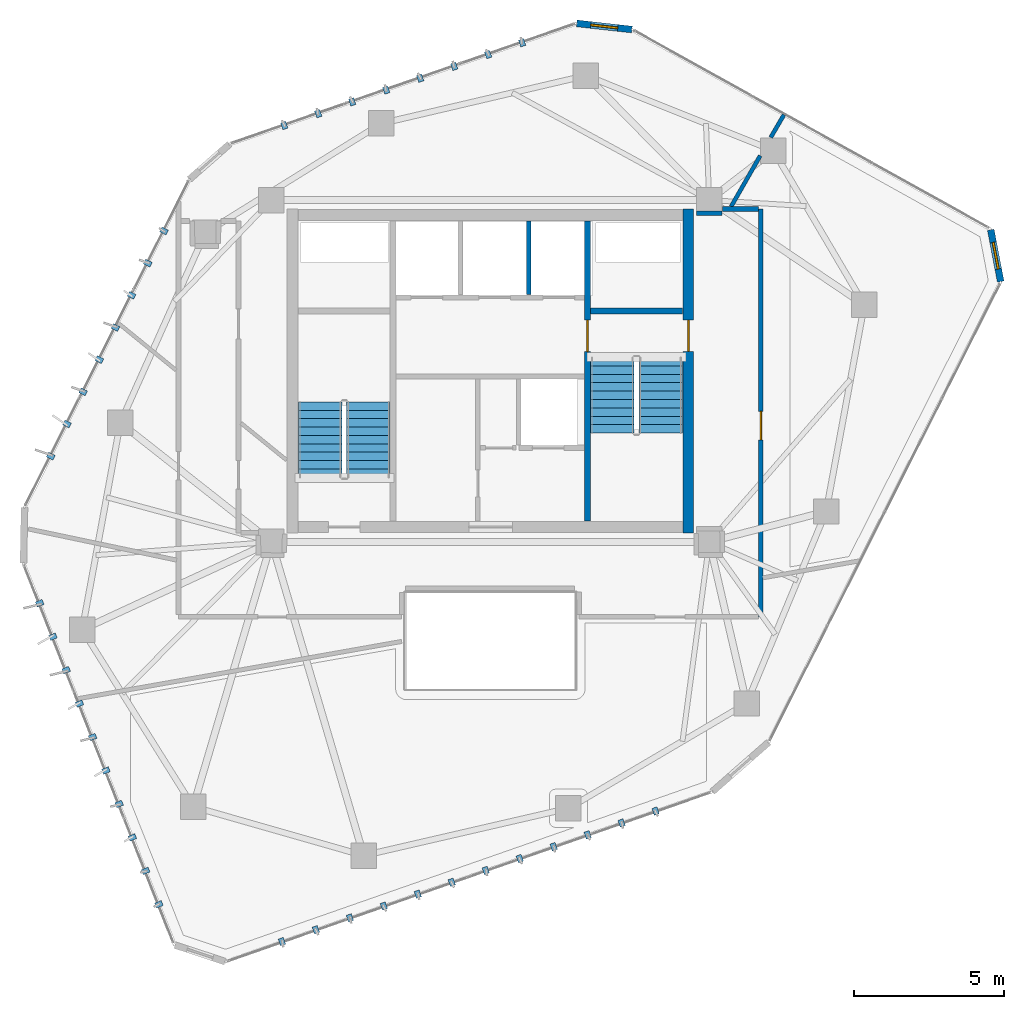
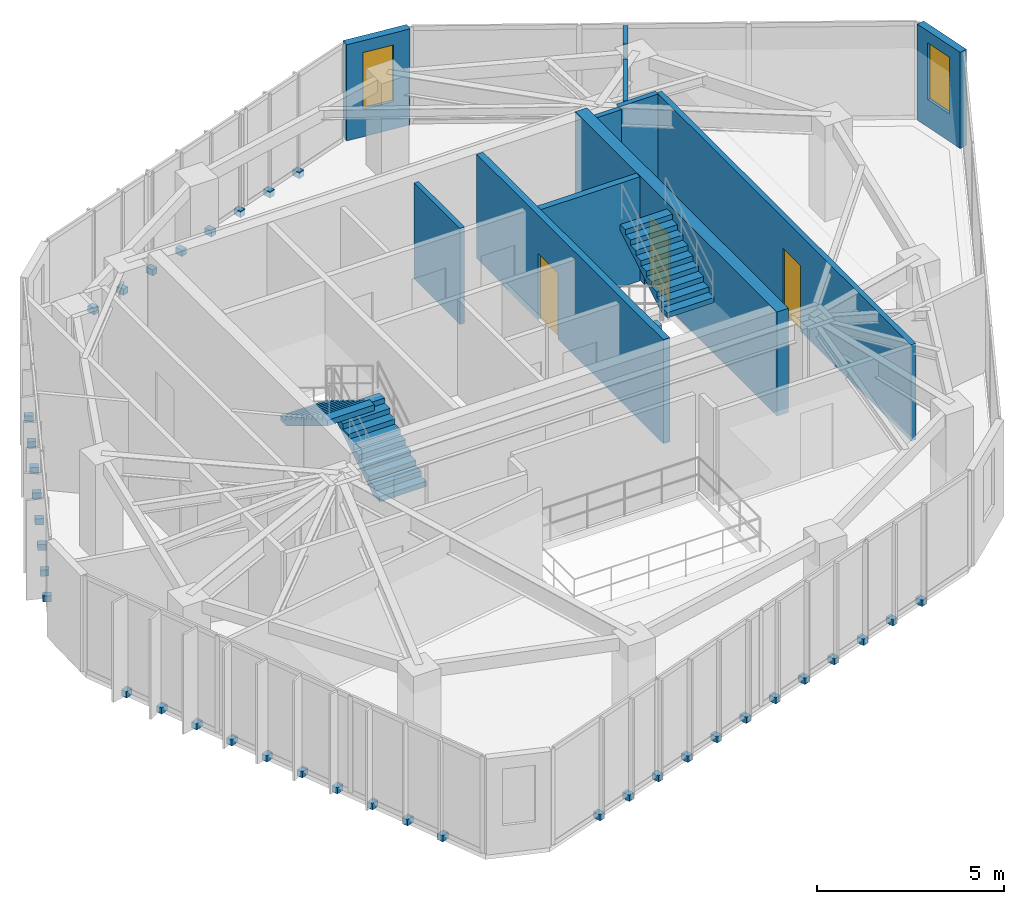
# One storey, part 18 of 20: 38 discrete accessories, 11 walls, 4 stair flights, 3 doors, 2 windows, 5 openings, 2 elements without a shape of their own.
"""IFC4 building model written with IfcOpenShell, lengths in metres."""

from ifc_helpers import new_model, si_unit, direction, frame, frame_2d, origin, origin_2d, place, context, subcontext, project, spatial, polyline, rectangle, outline, extrude, source, transform, mapped, material, layer, layer_set, type_object, type_shapes, element, fill, aggregate, save


model = new_model("IFC4")

# Units and contexts
model_context = context("Model", 3, precision=1e-05, world=origin(), true_north=direction((0.0, 1.0)))
body_context = subcontext(model_context, "Body", "Model", "MODEL_VIEW")
ifc_project = project(units=[si_unit("LENGTHUNIT", "METRE"), si_unit("AREAUNIT", "SQUARE_METRE"), si_unit("VOLUMEUNIT", "CUBIC_METRE"), si_unit("PLANEANGLEUNIT", "RADIAN"), si_unit("MASSUNIT", "GRAM", prefix="KILO")], contexts=[model_context])

# Site, building, storey
site_placement = place(None, origin())
site = spatial("IfcSite", under=ifc_project, at=site_placement, CompositionType="ELEMENT")
building_placement = place(site_placement, origin())
building = spatial("IfcBuilding", under=site, at=building_placement, Name="Talar Marvaseh", CompositionType="ELEMENT")
storey_placement = place(building_placement, frame((0.0, 0.0, 285.0)))
storey = spatial("IfcBuildingStorey", under=building, at=storey_placement, Name="L76", CompositionType="ELEMENT", Elevation=285.0)

# Wall, opening, window
ifc_material_1 = material(Name="Precast concrete C45/55", Category="concrete")
ifc_layer_1 = layer(ifc_material_1, 0.22509765625)
ifc_layer_set_1 = layer_set([ifc_layer_1], Name="Precast concrete C45/55")
wall_type_1 = type_object("IfcWallType", Name="Chamfered Hexagonal Corner Pier Wall Z4 225", PredefinedType="SOLIDWALL", material=ifc_layer_set_1)
wall_1_placement = place(storey_placement, frame((28.876708984375, 42.793212890625, 0.0), z_axis=(0.0, 0.0, 1.0), x_axis=(0.993821027819, -0.110994435289, 0.0)))
wall_1 = element("IfcWall", 1, at=wall_1_placement, inside=storey, type_object=wall_type_1, Name="L76 Chamfered Corner Limestone Pier 4", PredefinedType="SOLIDWALL", context=body_context, shape_type="SweptSolid", body=[
    extrude(rectangle(XDim=1.8564453125, YDim=0.22509765625, at=frame_2d((0.92822265625, 0.0))), origin(), (0.0, 0.0, 1.0), 3.139892578125),
])
opening_1_placement = place(wall_1_placement, frame((0.47802734375, 0.0, 0.89990234375)))
opening_1 = element("IfcOpeningElement", 2, at=opening_1_placement, cuts=wall_1, Name="Opening WN-CHM09", PredefinedType="OPENING", context=body_context, shape_type="SweptSolid", body=[
    extrude(rectangle(XDim=0.89990234375, YDim=1.85009765625, at=frame_2d((0.449951171875, 0.925048828125))), frame((0.0, 0.12255859375, 0.0), z_axis=(0.0, -1.0, 0.0), x_axis=(1.0, 0.0, 0.0)), (0.0, 0.0, 1.0), 0.2451171875),
])
ifc_material_2 = material(Name="Laminated Low-E Solar Glass", Category="glass")
window_type = type_object("IfcWindowType", Name="Zone 4 Chamfered Corner Slot Window 900x1850", PartitioningType="SINGLE_PANEL", PredefinedType="WINDOW", material=ifc_material_2)
shared_shape_1 = source(origin(), body_context, "Body", "SweptSolid", [
    extrude(rectangle(XDim=0.89990234375, YDim=1.85009765625, at=frame_2d((0.449951171875, 0.925048828125))), frame((0.0, 0.030029296875, 0.0), z_axis=(0.0, -1.0, 0.0), x_axis=(1.0, 0.0, 0.0)), (0.0, 0.0, 1.0), 0.06005859375),
])
type_shapes(window_type, [shared_shape_1])
window_1_placement = place(opening_1_placement, origin())
window_1 = element("IfcWindow", 3, at=window_1_placement, inside=storey, type_object=window_type, Name="L76 Chamfered Corner Slot Window", OverallHeight=1.85009765625, OverallWidth=0.89990234375, PartitioningType="SINGLE_PANEL", PredefinedType="WINDOW", context=body_context, shape_type="MappedRepresentation", body=[
    mapped(shared_shape_1, transform((0.0, 0.0, 0.0), x_axis=(1.0, 0.0, 0.0), y_axis=(0.0, 1.0, 0.0), z_axis=(0.0, 0.0, 1.0), scale=1.0)),
])
fill(opening_1, window_1)

wall_2_placement = place(storey_placement, frame((42.68798828125, 35.908447265625, 0.0), z_axis=(0.0, 0.0, 1.0), x_axis=(0.187775807301, -0.982211915114, 0.0)))
wall_2 = element("IfcWall", 4, at=wall_2_placement, inside=storey, type_object=wall_type_1, Name="L76 Chamfered Corner Limestone Pier 5", PredefinedType="SOLIDWALL", context=body_context, shape_type="SweptSolid", body=[
    extrude(rectangle(XDim=1.7578125, YDim=0.22509765625, at=frame_2d((0.87890625, 0.0))), origin(), (0.0, 0.0, 1.0), 3.139892578125),
])
opening_2_placement = place(wall_2_placement, frame((0.428955078125, 0.0, 0.89990234375)))
opening_2 = element("IfcOpeningElement", 5, at=opening_2_placement, cuts=wall_2, Name="Opening WN-CHM09", PredefinedType="OPENING", context=body_context, shape_type="SweptSolid", body=[
    extrude(rectangle(XDim=0.89990234375, YDim=1.85009765625, at=frame_2d((0.449951171875, 0.925048828125))), frame((0.0, 0.12255859375, 0.0), z_axis=(0.0, -1.0, 0.0), x_axis=(1.0, 0.0, 0.0)), (0.0, 0.0, 1.0), 0.2451171875),
])
window_2_placement = place(opening_2_placement, origin())
window_2 = element("IfcWindow", 6, at=window_2_placement, inside=storey, type_object=window_type, Name="L76 Chamfered Corner Slot Window", OverallHeight=1.85009765625, OverallWidth=0.89990234375, PartitioningType="SINGLE_PANEL", PredefinedType="WINDOW", context=body_context, shape_type="MappedRepresentation", body=[
    mapped(shared_shape_1, transform((0.0, 0.0, 0.0), x_axis=(1.0, 0.0, 0.0), y_axis=(0.0, 1.0, 0.0), z_axis=(0.0, 0.0, 1.0), scale=1.0)),
])
fill(opening_2, window_2)

# Wall, opening, door
ifc_material_3 = material(Name="Gypsum Board Partition Assembly")
ifc_layer_2 = layer(ifc_material_3, 0.155029296875)
ifc_layer_set_2 = layer_set([ifc_layer_2], Name="Gypsum Board Partition Assembly")
wall_type_2 = type_object("IfcWallType", Name="Corridor Fire-Rated Acoustic Partition 155", PredefinedType="PARTITIONING", material=ifc_layer_set_2)
wall_3_placement = place(storey_placement, frame((35.02001953125, 36.60009765625, 0.0), z_axis=(0.0, 0.0, 1.0), x_axis=(0.0, -1.0, 0.0)))
wall_3 = element("IfcWall", 7, at=wall_3_placement, inside=storey, type_object=wall_type_2, Name="L76 Interior Partition Wall", PredefinedType="PARTITIONING", context=body_context, shape_type="SweptSolid", body=[
    extrude(rectangle(XDim=13.60009765625, YDim=0.155029296875, at=frame_2d((6.800048828125, 0.0))), origin(), (0.0, 0.0, 1.0), 3.139892578125),
])
opening_3_placement = place(wall_3_placement, frame((6.74560546875, 0.0, 0.0)))
opening_3 = element("IfcOpeningElement", 8, at=opening_3_placement, cuts=wall_3, Name="Opening DR-WC095", PredefinedType="OPENING", context=body_context, shape_type="SweptSolid", body=[
    extrude(rectangle(XDim=0.949951171875, YDim=2.14990234375, at=frame_2d((0.47509765625, 1.074951171875))), frame((0.0, 0.08740234375, 0.0), z_axis=(0.0, -1.0, 0.0), x_axis=(1.0, 0.0, 0.0)), (0.0, 0.0, 1.0), 0.175048828125),
])
ifc_material_4 = material(Name="Acoustic Engineered Oak Timber", Category="wood")
door_type_1 = type_object("IfcDoorType", Name="Washroom and Service Room Door 950x2150", OperationType="NOTDEFINED", PredefinedType="DOOR", material=ifc_material_4)
shared_shape_2 = source(origin(), body_context, "Body", "SweptSolid", [
    extrude(rectangle(XDim=0.949951171875, YDim=2.14990234375, at=frame_2d((0.47509765625, 1.074951171875))), frame((0.0, 0.02490234375, 0.0), z_axis=(0.0, -1.0, 0.0), x_axis=(1.0, 0.0, 0.0)), (0.0, 0.0, 1.0), 0.050048828125),
])
type_shapes(door_type_1, [shared_shape_2])
door_1_placement = place(opening_3_placement, origin())
door_1 = element("IfcDoor", 9, at=door_1_placement, inside=storey, type_object=door_type_1, Name="L76 Collection Conservation Store Door", OperationType="SINGLE_SWING_RIGHT", OverallHeight=2.14990234375, OverallWidth=0.949951171875, PredefinedType="DOOR", context=body_context, shape_type="MappedRepresentation", body=[
    mapped(shared_shape_2, transform((0.0, 0.0, 0.0), x_axis=(1.0, 0.0, 0.0), y_axis=(0.0, 1.0, 0.0), z_axis=(0.0, 0.0, 1.0), scale=1.0)),
])
fill(opening_3, door_1)

# Walls
wall_4_placement = place(storey_placement, frame((32.8701171875, 36.464599609375, 0.0), z_axis=(0.0, 0.0, 1.0), x_axis=(0.999986873463, -0.005123758532, 0.0)))
element("IfcWall", 10, at=wall_4_placement, inside=storey, type_object=wall_type_2, Name="L76 Interior Partition Wall", PredefinedType="PARTITIONING", context=body_context, shape_type="SweptSolid", body=[
    extrude(rectangle(XDim=0.857666015625, YDim=0.155029296875, at=frame_2d((0.4287109375, 0.0))), origin(), (0.0, 0.0, 1.0), 3.139892578125),
])
wall_5_placement = place(storey_placement, frame((33.739990234375, 36.60009765625, 0.0), z_axis=(0.0, 0.0, 1.0), x_axis=(1.0, 0.0, 0.0)))
element("IfcWall", 11, at=wall_5_placement, inside=storey, type_object=wall_type_2, Name="L76 Interior Partition Wall", PredefinedType="PARTITIONING", context=body_context, shape_type="SweptSolid", body=[
    extrude(rectangle(XDim=1.196533203125, YDim=0.155029296875, at=frame_2d((0.59814453125, 0.0))), origin(), (0.0, 0.0, 1.0), 3.139892578125),
])
ifc_layer_3 = layer(ifc_material_1, 0.14501953125)
ifc_layer_set_3 = layer_set([ifc_layer_3], Name="Precast concrete C45/55")
wall_type_3 = type_object("IfcWallType", Name="Fire-Rated Lift Divider Wall 145", PredefinedType="SOLIDWALL", material=ifc_layer_set_3)
wall_6_placement = place(storey_placement, frame((27.280029296875, 33.743408203125, 0.0), z_axis=(0.0, 0.0, 1.0), x_axis=(0.0, 1.0, 0.0)))
element("IfcWall", 12, at=wall_6_placement, inside=storey, type_object=wall_type_3, Name="L76 FFL-2/SVL-1 Divider", PredefinedType="SOLIDWALL", context=body_context, shape_type="SweptSolid", body=[
    extrude(rectangle(XDim=2.45654296875, YDim=0.14501953125, at=frame_2d((1.228271484375, 0.0))), origin(), (0.0, 0.0, 1.0), 3.139892578125),
])
ifc_layer_4 = layer(ifc_material_3, 0.135009765625)
ifc_layer_set_4 = layer_set([ifc_layer_4], Name="Gypsum Board Partition Assembly")
wall_type_4 = type_object("IfcWallType", Name="Gallery High-Acoustic Partition 135", PredefinedType="PARTITIONING", material=ifc_layer_set_4)
wall_7_placement = place(storey_placement, frame((34.02783203125, 36.68359375, 0.0), z_axis=(0.0, 0.0, 1.0), x_axis=(0.497241256137, 0.867612317337, 0.0)))
element("IfcWall", 13, at=wall_7_placement, inside=storey, type_object=wall_type_4, Name="L76 Interior Partition Wall", PredefinedType="PARTITIONING", context=body_context, shape_type="SweptSolid", body=[
    extrude(rectangle(XDim=1.955078125, YDim=0.135009765625, at=frame_2d((0.9775390625, 0.0))), origin(), (0.0, 0.0, 1.0), 3.139892578125),
])
wall_8_placement = place(storey_placement, frame((35.35009765625, 38.989990234375, 0.0), z_axis=(0.0, 0.0, 1.0), x_axis=(0.503836217777, 0.863799204478, 0.0)))
element("IfcWall", 14, at=wall_8_placement, inside=storey, type_object=wall_type_4, Name="L76 Interior Partition Wall", PredefinedType="PARTITIONING", context=body_context, shape_type="SweptSolid", body=[
    extrude(rectangle(XDim=0.872314453125, YDim=0.135009765625, at=frame_2d((0.43603515625, 0.0))), origin(), (0.0, 0.0, 1.0), 3.139892578125),
])

# Wall, opening, door
ifc_material_5 = material(Name="Concrete C50/60", Category="concrete")
ifc_layer_5 = layer(ifc_material_5, 0.199951171875)
ifc_layer_set_5 = layer_set([ifc_layer_5], Name="Concrete C50/60")
wall_type_5 = type_object("IfcWallType", Name="Stair Shaft Structural Concrete Shear Wall 200", PredefinedType="SHEAR", material=ifc_layer_set_5)
wall_9_placement = place(storey_placement, frame((29.239990234375, 26.199951171875, 0.0), z_axis=(0.0, 0.0, 1.0), x_axis=(0.0, 1.0, 0.0)))
wall_9 = element("IfcWall", 15, at=wall_9_placement, inside=storey, type_object=wall_type_5, Name="L76 Core East Stair Shear Wall", PredefinedType="SHEAR", context=body_context, shape_type="SweptSolid", body=[
    extrude(rectangle(XDim=10.0, YDim=0.199951171875, at=frame_2d((5.0, 0.0))), origin(), (0.0, 0.0, 1.0), 3.39990234375),
])
opening_4_placement = place(wall_9_placement, frame((5.64990234375, 0.0, 0.0)))
opening_4 = element("IfcOpeningElement", 16, at=opening_4_placement, cuts=wall_9, Name="Opening DR-ST105", PredefinedType="OPENING", context=body_context, shape_type="SweptSolid", body=[
    extrude(rectangle(XDim=1.050048828125, YDim=2.14990234375, at=frame_2d((0.52490234375, 1.074951171875))), frame((0.0, 0.10986328125, 0.0), z_axis=(0.0, -1.0, 0.0), x_axis=(1.0, 0.0, 0.0)), (0.0, 0.0, 1.0), 0.219970703125),
])
ifc_material_6 = material(Name="Fire-Rated Steel Door Leaf", Category="steel")
door_type_2 = type_object("IfcDoorType", Name="Protected Exit Stair Fire Door 1050x2150", OperationType="NOTDEFINED", PredefinedType="DOOR", material=ifc_material_6)
shared_shape_3 = source(origin(), body_context, "Body", "SweptSolid", [
    extrude(rectangle(XDim=1.050048828125, YDim=2.14990234375, at=frame_2d((0.52490234375, 1.074951171875))), frame((0.0, 0.02490234375, 0.0), z_axis=(0.0, -1.0, 0.0), x_axis=(1.0, 0.0, 0.0)), (0.0, 0.0, 1.0), 0.050048828125),
])
type_shapes(door_type_2, [shared_shape_3])
door_2_placement = place(opening_4_placement, origin())
door_2 = element("IfcDoor", 17, at=door_2_placement, inside=storey, type_object=door_type_2, Name="L76 Firefighting Lobby to Stair ST-2 Door", OperationType="SINGLE_SWING_LEFT", OverallHeight=2.14990234375, OverallWidth=1.050048828125, PredefinedType="DOOR", context=body_context, shape_type="MappedRepresentation", body=[
    mapped(shared_shape_3, transform((0.0, 0.0, 0.0), x_axis=(1.0, 0.0, 0.0), y_axis=(0.0, 1.0, 0.0), z_axis=(0.0, 0.0, 1.0), scale=1.0)),
])
fill(opening_4, door_2)

# Wall
wall_10_placement = place(storey_placement, frame((29.340087890625, 33.199951171875, 0.0), z_axis=(0.0, 0.0, 1.0), x_axis=(1.0, 0.0, 0.0)))
element("IfcWall", 18, at=wall_10_placement, inside=storey, type_object=wall_type_5, Name="L76 Stair ST-2 North Shear Wall", PredefinedType="SHEAR", context=body_context, shape_type="SweptSolid", body=[
    extrude(rectangle(XDim=3.059814453125, YDim=0.199951171875, at=frame_2d((1.52978515625, 0.0))), origin(), (0.0, 0.0, 1.0), 3.39990234375),
])

# Wall, opening, door
ifc_layer_6 = layer(ifc_material_5, 0.360107421875)
ifc_layer_set_6 = layer_set([ifc_layer_6], Name="Concrete C50/60")
wall_type_6 = type_object("IfcWallType", Name="Upper Core Reinforced Concrete Shear Wall 360", PredefinedType="SHEAR", material=ifc_layer_set_6)
wall_11_placement = place(storey_placement, frame((32.60009765625, 36.60009765625, 0.0), z_axis=(0.0, 0.0, 1.0), x_axis=(0.0, -1.0, 0.0)))
wall_11 = element("IfcWall", 19, at=wall_11_placement, inside=storey, type_object=wall_type_6, Name="L76 East Core Shear Wall", PredefinedType="SHEAR", context=body_context, shape_type="SweptSolid", body=[
    extrude(rectangle(XDim=10.800048828125, YDim=0.360107421875, at=frame_2d((5.39990234375, 0.0))), origin(), (0.0, 0.0, 1.0), 3.39990234375),
])
opening_5_placement = place(wall_11_placement, frame((3.699951171875, 0.0, 0.0)))
opening_5 = element("IfcOpeningElement", 20, at=opening_5_placement, cuts=wall_11, Name="Opening DR-ST105", PredefinedType="OPENING", context=body_context, shape_type="SweptSolid", body=[
    extrude(rectangle(XDim=1.050048828125, YDim=2.14990234375, at=frame_2d((0.52490234375, 1.074951171875))), frame((0.0, 0.18994140625, 0.0), z_axis=(0.0, -1.0, 0.0), x_axis=(1.0, 0.0, 0.0)), (0.0, 0.0, 1.0), 0.380126953125),
])
door_3_placement = place(opening_5_placement, origin())
door_3 = element("IfcDoor", 21, at=door_3_placement, inside=storey, type_object=door_type_2, Name="L76 Stair ST-2 Corridor Exit Door", OperationType="SINGLE_SWING_LEFT", OverallHeight=2.14990234375, OverallWidth=1.050048828125, PredefinedType="DOOR", context=body_context, shape_type="MappedRepresentation", body=[
    mapped(shared_shape_3, transform((0.0, 0.0, 0.0), x_axis=(1.0, 0.0, 0.0), y_axis=(0.0, 1.0, 0.0), z_axis=(0.0, 0.0, 1.0), scale=1.0)),
])
fill(opening_5, door_3)

# Stair, stair flights
ifc_material_7 = material(Name="Concrete C40/50", Category="concrete")
stair_type = type_object("IfcStairType", Name="Reinforced Concrete High-Rise Exit Stair Type C", PredefinedType="HALF_TURN_STAIR", material=ifc_material_7)
stair_1_placement = place(storey_placement, origin())
stair_1 = element("IfcStair", 22, at=stair_1_placement, inside=storey, type_object=stair_type, Name="L76 Tower West Core Exit Stair", PredefinedType="HALF_TURN_STAIR")
ifc_layer_7 = layer(ifc_material_7, 0.159912109375)
ifc_layer_set_7 = layer_set([ifc_layer_7], Name="Concrete C40/50")
stair_flight_type = type_object("IfcStairFlightType", Name="Reinforced Concrete Straight Stair Flight 160", PredefinedType="STRAIGHT", material=ifc_layer_set_7)
stair_flight_1_placement = place(storey_placement, frame((21.93505859375, 27.64990234375, 0.0), z_axis=(0.0, 0.0, 1.0), x_axis=(0.0, 1.0, 0.0)))
stair_flight_1 = element("IfcStairFlight", 23, at=stair_flight_1_placement, type_object=stair_flight_type, Name="ST-1 flight 1", NumberOfRisers=10, NumberOfTreads=9, PredefinedType="STRAIGHT", RiserHeight=0.17, TreadLength=0.28, context=body_context, shape_type="SweptSolid", body=[
    extrude(outline(polyline([(0.0, 0.0), (0.0, 0.169921875), (0.280029296875, 0.169921875), (0.280029296875, 0.340087890625), (0.56005859375, 0.340087890625), (0.56005859375, 0.510009765625), (0.840087890625, 0.510009765625), (0.840087890625, 0.679931640625), (1.1201171875, 0.679931640625), (1.1201171875, 0.85009765625), (1.39990234375, 0.85009765625), (1.39990234375, 1.02001953125), (1.679931640625, 1.02001953125), (1.679931640625, 1.18994140625), (1.9599609375, 1.18994140625), (1.9599609375, 1.360107421875), (2.239990234375, 1.360107421875), (2.239990234375, 1.530029296875), (2.52001953125, 1.530029296875), (2.52001953125, 1.699951171875), (2.52001953125, 1.343017578125), (0.30810546875, 0.0), (0.0, 0.0)])), frame((0.0, 0.72509765625, 0.0), z_axis=(0.0, -1.0, 0.0), x_axis=(1.0, 0.0, 0.0)), (0.0, 0.0, 1.0), 1.449951171875),
])
stair_flight_2_placement = place(storey_placement, frame((20.324951171875, 30.169921875, 1.699951171875), z_axis=(0.0, 0.0, 1.0), x_axis=(0.0, -1.0, 0.0)))
stair_flight_2 = element("IfcStairFlight", 24, at=stair_flight_2_placement, type_object=stair_flight_type, Name="ST-1 flight 2", NumberOfRisers=10, NumberOfTreads=9, PredefinedType="STRAIGHT", RiserHeight=0.17, TreadLength=0.28, context=body_context, shape_type="SweptSolid", body=[
    extrude(outline(polyline([(0.0, 0.0), (0.0, 0.169921875), (0.280029296875, 0.169921875), (0.280029296875, 0.340087890625), (0.56005859375, 0.340087890625), (0.56005859375, 0.510009765625), (0.840087890625, 0.510009765625), (0.840087890625, 0.679931640625), (1.1201171875, 0.679931640625), (1.1201171875, 0.85009765625), (1.39990234375, 0.85009765625), (1.39990234375, 1.02001953125), (1.679931640625, 1.02001953125), (1.679931640625, 1.18994140625), (1.9599609375, 1.18994140625), (1.9599609375, 1.360107421875), (2.239990234375, 1.360107421875), (2.239990234375, 1.530029296875), (2.52001953125, 1.530029296875), (2.52001953125, 1.699951171875), (2.52001953125, 1.343017578125), (0.30810546875, 0.0), (0.0, 0.0)])), frame((0.0, 0.72509765625, 0.0), z_axis=(0.0, -1.0, 0.0), x_axis=(1.0, 0.0, 0.0)), (0.0, 0.0, 1.0), 1.449951171875),
])
aggregate(stair_1, [stair_flight_1, stair_flight_2])

stair_2_placement = place(storey_placement, origin())
stair_2 = element("IfcStair", 25, at=stair_2_placement, inside=storey, type_object=stair_type, Name="L76 Tower East Core Exit Stair", PredefinedType="HALF_TURN_STAIR")
stair_flight_3_placement = place(storey_placement, frame((30.06494140625, 31.64990234375, 0.0), z_axis=(0.0, 0.0, 1.0), x_axis=(0.0, -1.0, 0.0)))
stair_flight_3 = element("IfcStairFlight", 26, at=stair_flight_3_placement, type_object=stair_flight_type, Name="ST-2 flight 1", NumberOfRisers=10, NumberOfTreads=9, PredefinedType="STRAIGHT", RiserHeight=0.17, TreadLength=0.28, context=body_context, shape_type="SweptSolid", body=[
    extrude(outline(polyline([(0.0, 0.0), (0.0, 0.169921875), (0.280029296875, 0.169921875), (0.280029296875, 0.340087890625), (0.56005859375, 0.340087890625), (0.56005859375, 0.510009765625), (0.840087890625, 0.510009765625), (0.840087890625, 0.679931640625), (1.1201171875, 0.679931640625), (1.1201171875, 0.85009765625), (1.39990234375, 0.85009765625), (1.39990234375, 1.02001953125), (1.679931640625, 1.02001953125), (1.679931640625, 1.18994140625), (1.9599609375, 1.18994140625), (1.9599609375, 1.360107421875), (2.239990234375, 1.360107421875), (2.239990234375, 1.530029296875), (2.52001953125, 1.530029296875), (2.52001953125, 1.699951171875), (2.52001953125, 1.343017578125), (0.30810546875, 0.0), (0.0, 0.0)])), frame((0.0, 0.72509765625, 0.0), z_axis=(0.0, -1.0, 0.0), x_axis=(1.0, 0.0, 0.0)), (0.0, 0.0, 1.0), 1.449951171875),
])
stair_flight_4_placement = place(storey_placement, frame((31.675048828125, 29.1298828125, 1.699951171875), z_axis=(0.0, 0.0, 1.0), x_axis=(0.0, 1.0, 0.0)))
stair_flight_4 = element("IfcStairFlight", 27, at=stair_flight_4_placement, type_object=stair_flight_type, Name="ST-2 flight 2", NumberOfRisers=10, NumberOfTreads=9, PredefinedType="STRAIGHT", RiserHeight=0.17, TreadLength=0.28, context=body_context, shape_type="SweptSolid", body=[
    extrude(outline(polyline([(0.0, 0.0), (0.0, 0.169921875), (0.280029296875, 0.169921875), (0.280029296875, 0.340087890625), (0.56005859375, 0.340087890625), (0.56005859375, 0.510009765625), (0.840087890625, 0.510009765625), (0.840087890625, 0.679931640625), (1.1201171875, 0.679931640625), (1.1201171875, 0.85009765625), (1.39990234375, 0.85009765625), (1.39990234375, 1.02001953125), (1.679931640625, 1.02001953125), (1.679931640625, 1.18994140625), (1.9599609375, 1.18994140625), (1.9599609375, 1.360107421875), (2.239990234375, 1.360107421875), (2.239990234375, 1.530029296875), (2.52001953125, 1.530029296875), (2.52001953125, 1.699951171875), (2.52001953125, 1.343017578125), (0.30810546875, 0.0), (0.0, 0.0)])), frame((0.0, 0.72509765625, 0.0), z_axis=(0.0, -1.0, 0.0), x_axis=(1.0, 0.0, 0.0)), (0.0, 0.0, 1.0), 1.449951171875),
])
aggregate(stair_2, [stair_flight_3, stair_flight_4])

# Discrete accessories
ifc_material_8 = material(Name="Stainless Steel Grade 316", Category="steel")
discrete_accessory_type = type_object("IfcDiscreteAccessoryType", Name="Stainless Slab-Edge Fin Mounting Bracket", PredefinedType="BRACKET", material=ifc_material_8)
shared_shape_4 = source(origin(), body_context, "Body", "SweptSolid", [
    extrude(rectangle(XDim=0.239990234375, YDim=0.179931640625, at=origin_2d()), origin(), (0.0, 0.0, 1.0), 0.199951171875),
])
type_shapes(discrete_accessory_type, [shared_shape_4])
for number, where, z_axis, x_axis, name in (
    (28, (14.9453125, 13.412353515625, -0.18017578125), (0.0, 0.0, 1.0), (-0.929776485888, -0.368124552685, 0.0), "L76 Vertical Fin Slab-Edge Bracket"),
    (29, (14.503662109375, 14.528076171875, -0.18017578125), (0.0, 0.0, 1.0), (-0.929776485888, -0.368124552685, 0.0), "L76 Vertical Fin Slab-Edge Bracket"),
    (30, (14.06201171875, 15.643798828125, -0.18017578125), (0.0, 0.0, 1.0), (-0.929776485888, -0.368124552685, 0.0), "L76 Vertical Fin Slab-Edge Bracket"),
    (31, (13.6201171875, 16.759521484375, -0.18017578125), (0.0, 0.0, 1.0), (-0.929776485888, -0.368124552685, 0.0), "L76 Vertical Fin Slab-Edge Bracket"),
    (32, (13.178466796875, 17.87548828125, -0.18017578125), (0.0, 0.0, 1.0), (-0.929776485888, -0.368124552685, 0.0), "L76 Vertical Fin Slab-Edge Bracket"),
    (33, (12.73681640625, 18.9912109375, -0.18017578125), (0.0, 0.0, 1.0), (-0.929776485888, -0.368124552685, 0.0), "L76 Vertical Fin Slab-Edge Bracket"),
    (34, (12.295166015625, 20.10693359375, -0.18017578125), (0.0, 0.0, 1.0), (-0.929776485888, -0.368124552685, 0.0), "L76 Vertical Fin Slab-Edge Bracket"),
    (35, (11.853515625, 21.22265625, -0.18017578125), (0.0, 0.0, 1.0), (-0.929776485888, -0.368124552685, 0.0), "L76 Vertical Fin Slab-Edge Bracket"),
    (36, (11.411865234375, 22.33837890625, -0.18017578125), (0.0, 0.0, 1.0), (-0.929776485888, -0.368124552685, 0.0), "L76 Vertical Fin Slab-Edge Bracket"),
    (37, (10.97021484375, 23.4541015625, -0.18017578125), (0.0, 0.0, 1.0), (-0.929776485888, -0.368124552685, 0.0), "L76 Vertical Fin Slab-Edge Bracket"),
    (38, (11.3408203125, 28.361083984375, -0.18017578125), (0.0, 0.0, 1.0), (-0.893528175816, 0.449007125805, 0.0), "L76 Vertical Fin Slab-Edge Bracket"),
    (39, (11.879638671875, 29.433349609375, -0.18017578125), (0.0, 0.0, 1.0), (-0.893528175816, 0.449007125805, 0.0), "L76 Vertical Fin Slab-Edge Bracket"),
    (40, (12.41845703125, 30.505615234375, -0.18017578125), (0.0, 0.0, 1.0), (-0.893528175816, 0.449007125805, 0.0), "L76 Vertical Fin Slab-Edge Bracket"),
    (41, (12.95751953125, 31.577880859375, -0.18017578125), (0.0, 0.0, 1.0), (-0.893528175816, 0.449007125805, 0.0), "L76 Vertical Fin Slab-Edge Bracket"),
    (42, (13.49609375, 32.650146484375, -0.18017578125), (0.0, 0.0, 1.0), (-0.893528175816, 0.449007125805, 0.0), "L76 Vertical Fin Slab-Edge Bracket"),
    (43, (14.03515625, 33.722412109375, -0.18017578125), (0.0, 0.0, 1.0), (-0.893528175816, 0.449007125805, 0.0), "L76 Vertical Fin Slab-Edge Bracket"),
    (44, (14.573974609375, 34.79443359375, -0.18017578125), (0.0, 0.0, 1.0), (-0.893528175816, 0.449007125805, 0.0), "L76 Vertical Fin Slab-Edge Bracket"),
    (45, (15.11279296875, 35.86669921875, -0.18017578125), (0.0, 0.0, 1.0), (-0.893528175816, 0.449007125805, 0.0), "L76 Vertical Fin Slab-Edge Bracket"),
    (46, (19.1259765625, 39.385986328125, -0.18017578125), (0.0, 0.0, 1.0), (-0.328536977169, 0.944491108816, 0.0), "L76 Vertical Fin Slab-Edge Bracket"),
    (47, (20.25927734375, 39.780517578125, -0.18017578125), (0.0, 0.0, 1.0), (-0.328536977169, 0.944491108816, 0.0), "L76 Vertical Fin Slab-Edge Bracket"),
    (48, (21.392578125, 40.1748046875, -0.18017578125), (0.0, 0.0, 1.0), (-0.328536977169, 0.944491108816, 0.0), "L76 Vertical Fin Slab-Edge Bracket"),
    (49, (22.52587890625, 40.569091796875, -0.18017578125), (0.0, 0.0, 1.0), (-0.328536977169, 0.944491108816, 0.0), "L76 Vertical Fin Slab-Edge Bracket"),
    (50, (23.659423828125, 40.96337890625, -0.18017578125), (0.0, 0.0, 1.0), (-0.328536977169, 0.944491108816, 0.0), "L76 Vertical Fin Slab-Edge Bracket"),
    (51, (24.792724609375, 41.357666015625, -0.18017578125), (0.0, 0.0, 1.0), (-0.328536977169, 0.944491108816, 0.0), "L76 Vertical Fin Slab-Edge Bracket"),
    (52, (25.926025390625, 41.751708984375, -0.18017578125), (0.0, 0.0, 1.0), (-0.328536977169, 0.944491108816, 0.0), "L76 Vertical Fin Slab-Edge Bracket"),
    (53, (27.0595703125, 42.14599609375, -0.18017578125), (0.0, 0.0, 1.0), (-0.328536977169, 0.944491108816, 0.0), "L76 Vertical Fin Slab-Edge Bracket"),
    (54, (31.509521484375, 16.523193359375, -0.18017578125), (0.0, 0.0, 1.0), (0.329855414859, -0.944031464141, 0.0), "L76 Vertical Fin Slab-Edge Bracket"),
    (55, (30.376708984375, 16.12744140625, -0.18017578125), (0.0, 0.0, 1.0), (0.329855414859, -0.944031464141, 0.0), "L76 Vertical Fin Slab-Edge Bracket"),
    (56, (29.243896484375, 15.731689453125, -0.18017578125), (0.0, 0.0, 1.0), (0.329855414859, -0.944031464141, 0.0), "L76 Vertical Fin Slab-Edge Bracket"),
    (57, (28.111083984375, 15.335693359375, -0.18017578125), (0.0, 0.0, 1.0), (0.329855414859, -0.944031464141, 0.0), "L76 Vertical Fin Slab-Edge Bracket"),
    (58, (26.978271484375, 14.93994140625, -0.18017578125), (0.0, 0.0, 1.0), (0.329855414859, -0.944031464141, 0.0), "L76 Vertical Fin Slab-Edge Bracket"),
    (59, (25.84521484375, 14.544189453125, -0.18017578125), (0.0, 0.0, 1.0), (0.329855414859, -0.944031464141, 0.0), "L76 Vertical Fin Slab-Edge Bracket"),
    (60, (24.71240234375, 14.1484375, -0.18017578125), (0.0, 0.0, 1.0), (0.329855414859, -0.944031464141, 0.0), "L76 Vertical Fin Slab-Edge Bracket"),
    (61, (23.57958984375, 13.752685546875, -0.18017578125), (0.0, 0.0, 1.0), (0.329855414859, -0.944031464141, 0.0), "L76 Vertical Fin Slab-Edge Bracket"),
    (62, (22.44677734375, 13.356689453125, -0.18017578125), (0.0, 0.0, 1.0), (0.329855414859, -0.944031464141, 0.0), "L76 Vertical Fin Slab-Edge Bracket"),
    (63, (21.31396484375, 12.9609375, -0.18017578125), (0.0, 0.0, 1.0), (0.329855414859, -0.944031464141, 0.0), "L76 Vertical Fin Slab-Edge Bracket"),
    (64, (20.18115234375, 12.565185546875, -0.18017578125), (0.0, 0.0, 1.0), (0.329855414859, -0.944031464141, 0.0), "L76 Vertical Fin Slab-Edge Bracket"),
    (65, (19.048095703125, 12.16943359375, -0.18017578125), (0.0, 0.0, 1.0), (0.329855414859, -0.944031464141, 0.0), "L76 Vertical Fin Slab-Edge Bracket"),
):
    element("IfcDiscreteAccessory", number, at=place(storey_placement, frame(where, z_axis=z_axis, x_axis=x_axis)), inside=storey, type_object=discrete_accessory_type, Name=name, PredefinedType="BRACKET", context=body_context, shape_type="MappedRepresentation", body=[
        mapped(shared_shape_4, transform((0.0, 0.0, 0.0), x_axis=(1.0, 0.0, 0.0), y_axis=(0.0, 1.0, 0.0), z_axis=(0.0, 0.0, 1.0), scale=1.0)),
    ])

save(model, "model.ifc")
